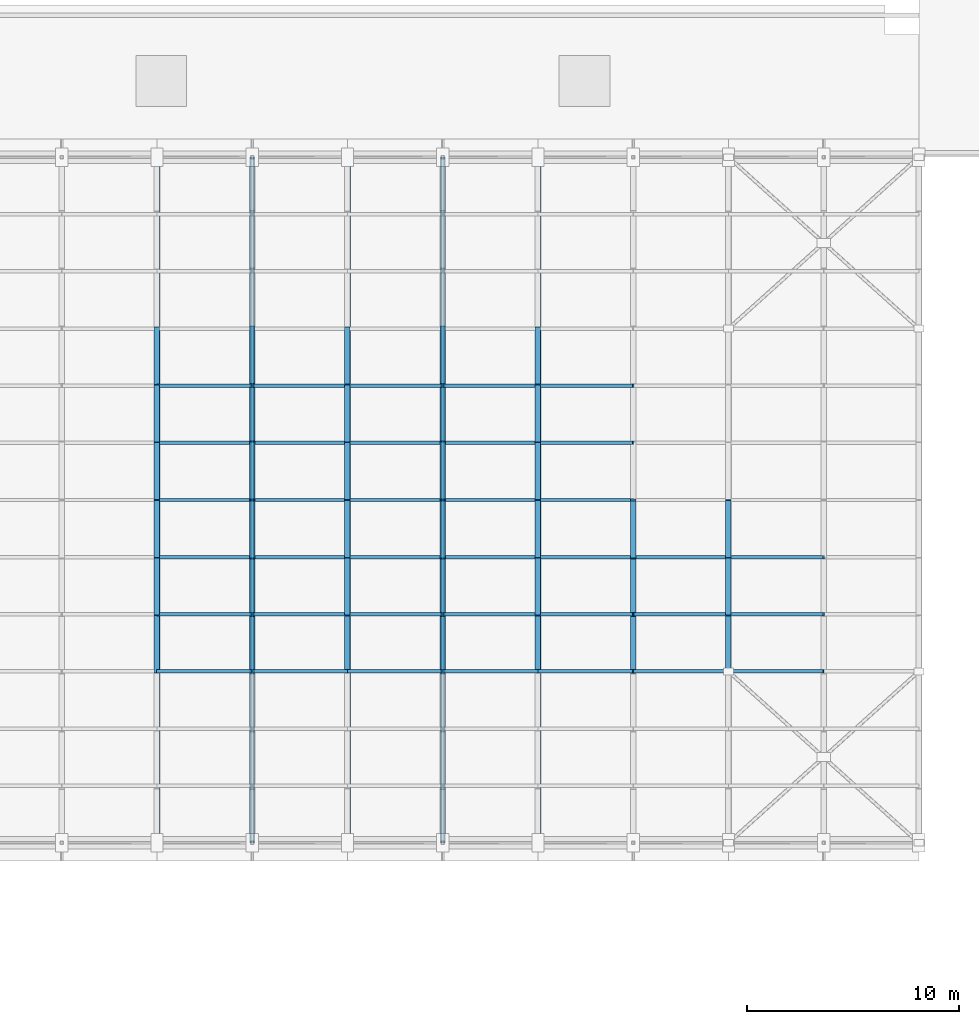
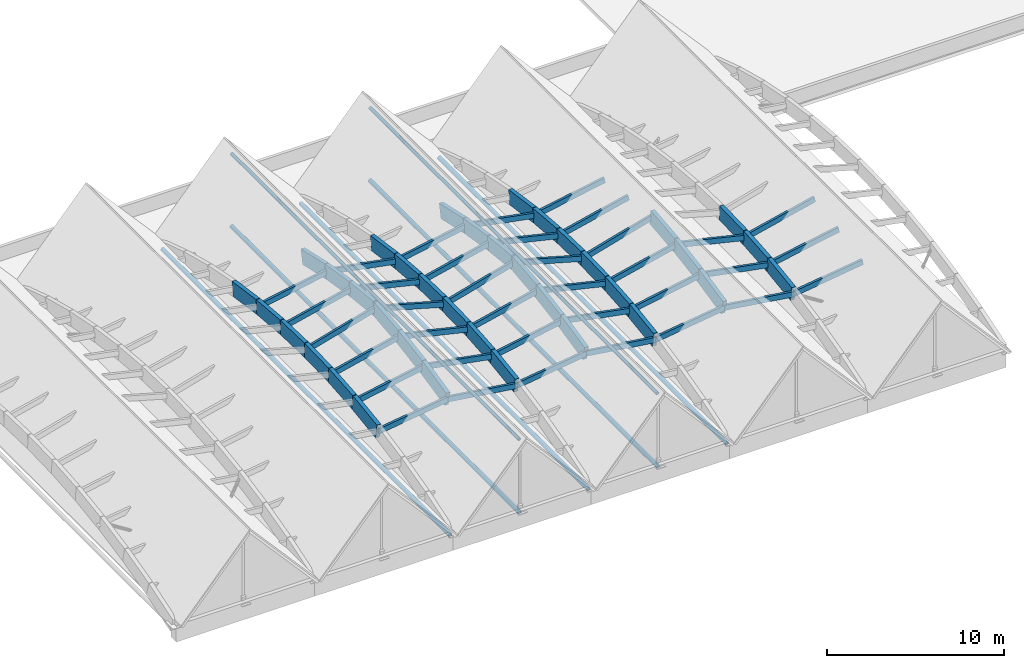
# One storey, part 16 of 39: 79 members.
"""IFC4 building model written with IfcOpenShell, lengths in metres."""

from ifc_helpers import new_model, si_unit, direction, frame, origin, origin_2d, place, context, subcontext, project, spatial, rectangle, hollow_circle, extrude, material, material_profile, profile_set, type_object, element, save


model = new_model("IFC4")

# Units and contexts
model_context = context("Model", 3, precision=1e-05, world=origin(), true_north=direction((0.0, 1.0)))
body_context = subcontext(model_context, "Body", "Model", "MODEL_VIEW")
ifc_project = project(units=[si_unit("LENGTHUNIT", "METRE"), si_unit("AREAUNIT", "SQUARE_METRE"), si_unit("VOLUMEUNIT", "CUBIC_METRE"), si_unit("PLANEANGLEUNIT", "RADIAN"), si_unit("MASSUNIT", "GRAM", prefix="KILO")], contexts=[model_context])

# Site, building, storey
site_placement = place(None, origin())
site = spatial("IfcSite", under=ifc_project, at=site_placement, CompositionType="ELEMENT")
building_placement = place(site_placement, origin())
building = spatial("IfcBuilding", under=site, at=building_placement, Name="Tizgana Railside Sports Hall", CompositionType="ELEMENT")
storey_placement = place(building_placement, frame((0.0, 0.0, 23.699951171875)))
storey = spatial("IfcBuildingStorey", under=building, at=storey_placement, Name="RF", CompositionType="ELEMENT", Elevation=23.699951171875)

# Members
ifc_material_1 = material(Name="Glulam GL32h", Category="wood")
ifc_material_profile_1 = material_profile(ifc_material_1, rectangle(XDim=0.260009765625, YDim=0.97998046875, at=origin_2d()), Name="GL 260x980")
ifc_profile_set_1 = profile_set([ifc_material_profile_1], Name="Glulam GL32h")
member_type_1 = type_object("IfcMemberType", Name="Glulam Arch Segment GL 260x980", PredefinedType="USERDEFINED", material=ifc_profile_set_1)
member_1_placement = place(storey_placement, frame((97.800048828125, 48.89990234375, -0.721923828125), z_axis=(0.0, 0.990049503072, 0.140719513456), x_axis=(-1.0, 0.0, 0.0)))
element("IfcMember", 1, at=member_1_placement, inside=storey, type_object=member_type_1, Name="RF V2 Arch Chord MEM-0461", ObjectType="ARCH_SEGMENT", PredefinedType="USERDEFINED", context=body_context, shape_type="SweptSolid", body=[
    extrude(rectangle(XDim=0.260009765625, YDim=0.97998046875, at=origin_2d()), origin(), (0.0, 0.0, 1.0), 2.727294921875),
])
member_2_placement = place(storey_placement, frame((97.800048828125, 51.60009765625, -0.338134765625), z_axis=(0.0, 0.996437422353, 0.084335421586), x_axis=(-1.0, 0.0, 0.0)))
element("IfcMember", 2, at=member_2_placement, inside=storey, type_object=member_type_1, Name="RF V2 Arch Chord MEM-0462", ObjectType="ARCH_SEGMENT", PredefinedType="USERDEFINED", context=body_context, shape_type="SweptSolid", body=[
    extrude(rectangle(XDim=0.260009765625, YDim=0.97998046875, at=origin_2d()), origin(), (0.0, 0.0, 1.0), 2.709716796875),
])
for number, where, z_axis, x_axis, name in (
    (3, (97.800048828125, 54.300048828125, -0.109619140625), (0.0, 0.999602270029, 0.028201094877), (-1.0, 0.0, 0.0), "RF V2 Arch Chord MEM-0463"),
    (4, (97.800048828125, 57.0, -0.033447265625), (0.0, 0.999602270029, -0.028201094877), (-1.0, 0.0, 0.0), "RF V2 Arch Chord MEM-0464"),
):
    element("IfcMember", number, at=place(storey_placement, frame(where, z_axis=z_axis, x_axis=x_axis)), inside=storey, type_object=member_type_1, Name=name, ObjectType="ARCH_SEGMENT", PredefinedType="USERDEFINED", context=body_context, shape_type="SweptSolid", body=[
        extrude(rectangle(XDim=0.260009765625, YDim=0.97998046875, at=origin_2d()), origin(), (0.0, 0.0, 1.0), 2.700927734375),
    ])
member_3_placement = place(storey_placement, frame((97.800048828125, 59.699951171875, -0.109619140625), z_axis=(0.0, 0.996437422353, -0.084335421586), x_axis=(-1.0, 0.0, 0.0)))
element("IfcMember", 5, at=member_3_placement, inside=storey, type_object=member_type_1, Name="RF V2 Arch Chord MEM-0465", ObjectType="ARCH_SEGMENT", PredefinedType="USERDEFINED", context=body_context, shape_type="SweptSolid", body=[
    extrude(rectangle(XDim=0.260009765625, YDim=0.97998046875, at=origin_2d()), origin(), (0.0, 0.0, 1.0), 2.709716796875),
])
member_4_placement = place(storey_placement, frame((97.800048828125, 62.39990234375, -0.338134765625), z_axis=(0.0, 0.990049503072, -0.140719513456), x_axis=(-1.0, 0.0, 0.0)))
element("IfcMember", 6, at=member_4_placement, inside=storey, type_object=member_type_1, Name="RF V2 Arch Chord MEM-0466", ObjectType="ARCH_SEGMENT", PredefinedType="USERDEFINED", context=body_context, shape_type="SweptSolid", body=[
    extrude(rectangle(XDim=0.260009765625, YDim=0.97998046875, at=origin_2d()), origin(), (0.0, 0.0, 1.0), 2.727294921875),
])
member_5_placement = place(storey_placement, frame((102.300048828125, 48.89990234375, -0.08447265625), z_axis=(0.0, 0.976481148201, 0.21560279963), x_axis=(-1.0, 0.0, 0.0)))
element("IfcMember", 7, at=member_5_placement, inside=storey, type_object=member_type_1, Name="RF V2 Arch Chord MEM-0474", ObjectType="ARCH_SEGMENT", PredefinedType="USERDEFINED", context=body_context, shape_type="SweptSolid", body=[
    extrude(rectangle(XDim=0.260009765625, YDim=0.97998046875, at=origin_2d()), origin(), (0.0, 0.0, 1.0), 2.76513671875),
])
member_6_placement = place(storey_placement, frame((102.300048828125, 51.60009765625, 0.51171875), z_axis=(0.0, 0.986912309377, 0.161257848182), x_axis=(-1.0, 0.0, 0.0)))
element("IfcMember", 8, at=member_6_placement, inside=storey, type_object=member_type_1, Name="RF V2 Arch Chord MEM-0475", ObjectType="ARCH_SEGMENT", PredefinedType="USERDEFINED", context=body_context, shape_type="SweptSolid", body=[
    extrude(rectangle(XDim=0.260009765625, YDim=0.97998046875, at=origin_2d()), origin(), (0.0, 0.0, 1.0), 2.73583984375),
])
for number, where, z_axis, x_axis, name in (
    (9, (102.300048828125, 54.300048828125, 0.952880859375), (0.0, 0.994336672512, 0.106275969519), (-1.0, 0.0, 0.0), "RF V2 Arch Chord MEM-0476"),
    (10, (102.300048828125, 57.0, 1.241455078125), (0.0, 0.994336672512, -0.106275969519), (-1.0, 0.0, 0.0), "RF V2 Arch Chord MEM-0477"),
):
    element("IfcMember", number, at=place(storey_placement, frame(where, z_axis=z_axis, x_axis=x_axis)), inside=storey, type_object=member_type_1, Name=name, ObjectType="ARCH_SEGMENT", PredefinedType="USERDEFINED", context=body_context, shape_type="SweptSolid", body=[
        extrude(rectangle(XDim=0.260009765625, YDim=0.97998046875, at=origin_2d()), origin(), (0.0, 0.0, 1.0), 2.71533203125),
    ])
member_7_placement = place(storey_placement, frame((102.300048828125, 59.699951171875, 0.952880859375), z_axis=(0.0, 0.986912309377, -0.161257848182), x_axis=(-1.0, 0.0, 0.0)))
element("IfcMember", 11, at=member_7_placement, inside=storey, type_object=member_type_1, Name="RF V2 Arch Chord MEM-0478", ObjectType="ARCH_SEGMENT", PredefinedType="USERDEFINED", context=body_context, shape_type="SweptSolid", body=[
    extrude(rectangle(XDim=0.260009765625, YDim=0.97998046875, at=origin_2d()), origin(), (0.0, 0.0, 1.0), 2.73583984375),
])
member_8_placement = place(storey_placement, frame((102.300048828125, 62.39990234375, 0.51171875), z_axis=(0.0, 0.976481148201, -0.21560279963), x_axis=(-1.0, 0.0, 0.0)))
element("IfcMember", 12, at=member_8_placement, inside=storey, type_object=member_type_1, Name="RF V2 Arch Chord MEM-0479", ObjectType="ARCH_SEGMENT", PredefinedType="USERDEFINED", context=body_context, shape_type="SweptSolid", body=[
    extrude(rectangle(XDim=0.260009765625, YDim=0.97998046875, at=origin_2d()), origin(), (0.0, 0.0, 1.0), 2.76513671875),
])
member_9_placement = place(storey_placement, frame((106.800048828125, 48.89990234375, -0.721923828125), z_axis=(0.0, 0.990049503072, 0.140719513456), x_axis=(-1.0, 0.0, 0.0)))
element("IfcMember", 13, at=member_9_placement, inside=storey, type_object=member_type_1, Name="RF V2 Arch Chord MEM-0487", ObjectType="ARCH_SEGMENT", PredefinedType="USERDEFINED", context=body_context, shape_type="SweptSolid", body=[
    extrude(rectangle(XDim=0.260009765625, YDim=0.97998046875, at=origin_2d()), origin(), (0.0, 0.0, 1.0), 2.727294921875),
])
member_10_placement = place(storey_placement, frame((106.800048828125, 51.60009765625, -0.338134765625), z_axis=(0.0, 0.996437422353, 0.084335421586), x_axis=(-1.0, 0.0, 0.0)))
element("IfcMember", 14, at=member_10_placement, inside=storey, type_object=member_type_1, Name="RF V2 Arch Chord MEM-0488", ObjectType="ARCH_SEGMENT", PredefinedType="USERDEFINED", context=body_context, shape_type="SweptSolid", body=[
    extrude(rectangle(XDim=0.260009765625, YDim=0.97998046875, at=origin_2d()), origin(), (0.0, 0.0, 1.0), 2.709716796875),
])
for number, where, z_axis, x_axis, name in (
    (15, (106.800048828125, 54.300048828125, -0.109619140625), (0.0, 0.999602270029, 0.028201094877), (-1.0, 0.0, 0.0), "RF V2 Arch Chord MEM-0489"),
    (16, (106.800048828125, 57.0, -0.033447265625), (0.0, 0.999602270029, -0.028201094877), (-1.0, 0.0, 0.0), "RF V2 Arch Chord MEM-0490"),
):
    element("IfcMember", number, at=place(storey_placement, frame(where, z_axis=z_axis, x_axis=x_axis)), inside=storey, type_object=member_type_1, Name=name, ObjectType="ARCH_SEGMENT", PredefinedType="USERDEFINED", context=body_context, shape_type="SweptSolid", body=[
        extrude(rectangle(XDim=0.260009765625, YDim=0.97998046875, at=origin_2d()), origin(), (0.0, 0.0, 1.0), 2.700927734375),
    ])
member_11_placement = place(storey_placement, frame((106.800048828125, 59.699951171875, -0.109619140625), z_axis=(0.0, 0.996437422353, -0.084335421586), x_axis=(-1.0, 0.0, 0.0)))
element("IfcMember", 17, at=member_11_placement, inside=storey, type_object=member_type_1, Name="RF V2 Arch Chord MEM-0491", ObjectType="ARCH_SEGMENT", PredefinedType="USERDEFINED", context=body_context, shape_type="SweptSolid", body=[
    extrude(rectangle(XDim=0.260009765625, YDim=0.97998046875, at=origin_2d()), origin(), (0.0, 0.0, 1.0), 2.709716796875),
])
member_12_placement = place(storey_placement, frame((106.800048828125, 62.39990234375, -0.338134765625), z_axis=(0.0, 0.990049503072, -0.140719513456), x_axis=(-1.0, 0.0, 0.0)))
element("IfcMember", 18, at=member_12_placement, inside=storey, type_object=member_type_1, Name="RF V2 Arch Chord MEM-0492", ObjectType="ARCH_SEGMENT", PredefinedType="USERDEFINED", context=body_context, shape_type="SweptSolid", body=[
    extrude(rectangle(XDim=0.260009765625, YDim=0.97998046875, at=origin_2d()), origin(), (0.0, 0.0, 1.0), 2.727294921875),
])
member_13_placement = place(storey_placement, frame((111.300048828125, 48.89990234375, -0.08447265625), z_axis=(0.0, 0.976481148201, 0.21560279963), x_axis=(-1.0, 0.0, 0.0)))
element("IfcMember", 19, at=member_13_placement, inside=storey, type_object=member_type_1, Name="RF V2 Arch Chord MEM-0500", ObjectType="ARCH_SEGMENT", PredefinedType="USERDEFINED", context=body_context, shape_type="SweptSolid", body=[
    extrude(rectangle(XDim=0.260009765625, YDim=0.97998046875, at=origin_2d()), origin(), (0.0, 0.0, 1.0), 2.76513671875),
])
member_14_placement = place(storey_placement, frame((111.300048828125, 51.60009765625, 0.51171875), z_axis=(0.0, 0.986912309377, 0.161257848182), x_axis=(-1.0, 0.0, 0.0)))
element("IfcMember", 20, at=member_14_placement, inside=storey, type_object=member_type_1, Name="RF V2 Arch Chord MEM-0501", ObjectType="ARCH_SEGMENT", PredefinedType="USERDEFINED", context=body_context, shape_type="SweptSolid", body=[
    extrude(rectangle(XDim=0.260009765625, YDim=0.97998046875, at=origin_2d()), origin(), (0.0, 0.0, 1.0), 2.73583984375),
])
for number, where, z_axis, x_axis, name in (
    (21, (111.300048828125, 54.300048828125, 0.952880859375), (0.0, 0.994336672512, 0.106275969519), (-1.0, 0.0, 0.0), "RF V2 Arch Chord MEM-0502"),
    (22, (111.300048828125, 57.0, 1.241455078125), (0.0, 0.994336672512, -0.106275969519), (-1.0, 0.0, 0.0), "RF V2 Arch Chord MEM-0503"),
):
    element("IfcMember", number, at=place(storey_placement, frame(where, z_axis=z_axis, x_axis=x_axis)), inside=storey, type_object=member_type_1, Name=name, ObjectType="ARCH_SEGMENT", PredefinedType="USERDEFINED", context=body_context, shape_type="SweptSolid", body=[
        extrude(rectangle(XDim=0.260009765625, YDim=0.97998046875, at=origin_2d()), origin(), (0.0, 0.0, 1.0), 2.71533203125),
    ])
member_15_placement = place(storey_placement, frame((111.300048828125, 59.699951171875, 0.952880859375), z_axis=(0.0, 0.986912309377, -0.161257848182), x_axis=(-1.0, 0.0, 0.0)))
element("IfcMember", 23, at=member_15_placement, inside=storey, type_object=member_type_1, Name="RF V2 Arch Chord MEM-0504", ObjectType="ARCH_SEGMENT", PredefinedType="USERDEFINED", context=body_context, shape_type="SweptSolid", body=[
    extrude(rectangle(XDim=0.260009765625, YDim=0.97998046875, at=origin_2d()), origin(), (0.0, 0.0, 1.0), 2.73583984375),
])
member_16_placement = place(storey_placement, frame((111.300048828125, 62.39990234375, 0.51171875), z_axis=(0.0, 0.976481148201, -0.21560279963), x_axis=(-1.0, 0.0, 0.0)))
element("IfcMember", 24, at=member_16_placement, inside=storey, type_object=member_type_1, Name="RF V2 Arch Chord MEM-0505", ObjectType="ARCH_SEGMENT", PredefinedType="USERDEFINED", context=body_context, shape_type="SweptSolid", body=[
    extrude(rectangle(XDim=0.260009765625, YDim=0.97998046875, at=origin_2d()), origin(), (0.0, 0.0, 1.0), 2.76513671875),
])
member_17_placement = place(storey_placement, frame((115.800048828125, 48.89990234375, -0.721923828125), z_axis=(0.0, 0.990049503072, 0.140719513456), x_axis=(-1.0, 0.0, 0.0)))
element("IfcMember", 25, at=member_17_placement, inside=storey, type_object=member_type_1, Name="RF V2 Arch Chord MEM-0513", ObjectType="ARCH_SEGMENT", PredefinedType="USERDEFINED", context=body_context, shape_type="SweptSolid", body=[
    extrude(rectangle(XDim=0.260009765625, YDim=0.97998046875, at=origin_2d()), origin(), (0.0, 0.0, 1.0), 2.727294921875),
])
member_18_placement = place(storey_placement, frame((115.800048828125, 51.60009765625, -0.338134765625), z_axis=(0.0, 0.996437422353, 0.084335421586), x_axis=(-1.0, 0.0, 0.0)))
element("IfcMember", 26, at=member_18_placement, inside=storey, type_object=member_type_1, Name="RF V2 Arch Chord MEM-0514", ObjectType="ARCH_SEGMENT", PredefinedType="USERDEFINED", context=body_context, shape_type="SweptSolid", body=[
    extrude(rectangle(XDim=0.260009765625, YDim=0.97998046875, at=origin_2d()), origin(), (0.0, 0.0, 1.0), 2.709716796875),
])
for number, where, z_axis, x_axis, name in (
    (27, (115.800048828125, 54.300048828125, -0.109619140625), (0.0, 0.999602270029, 0.028201094877), (-1.0, 0.0, 0.0), "RF V2 Arch Chord MEM-0515"),
    (28, (115.800048828125, 57.0, -0.033447265625), (0.0, 0.999602270029, -0.028201094877), (-1.0, 0.0, 0.0), "RF V2 Arch Chord MEM-0516"),
):
    element("IfcMember", number, at=place(storey_placement, frame(where, z_axis=z_axis, x_axis=x_axis)), inside=storey, type_object=member_type_1, Name=name, ObjectType="ARCH_SEGMENT", PredefinedType="USERDEFINED", context=body_context, shape_type="SweptSolid", body=[
        extrude(rectangle(XDim=0.260009765625, YDim=0.97998046875, at=origin_2d()), origin(), (0.0, 0.0, 1.0), 2.700927734375),
    ])
member_19_placement = place(storey_placement, frame((115.800048828125, 59.699951171875, -0.109619140625), z_axis=(0.0, 0.996437422353, -0.084335421586), x_axis=(-1.0, 0.0, 0.0)))
element("IfcMember", 29, at=member_19_placement, inside=storey, type_object=member_type_1, Name="RF V2 Arch Chord MEM-0517", ObjectType="ARCH_SEGMENT", PredefinedType="USERDEFINED", context=body_context, shape_type="SweptSolid", body=[
    extrude(rectangle(XDim=0.260009765625, YDim=0.97998046875, at=origin_2d()), origin(), (0.0, 0.0, 1.0), 2.709716796875),
])
member_20_placement = place(storey_placement, frame((115.800048828125, 62.39990234375, -0.338134765625), z_axis=(0.0, 0.990049503072, -0.140719513456), x_axis=(-1.0, 0.0, 0.0)))
element("IfcMember", 30, at=member_20_placement, inside=storey, type_object=member_type_1, Name="RF V2 Arch Chord MEM-0518", ObjectType="ARCH_SEGMENT", PredefinedType="USERDEFINED", context=body_context, shape_type="SweptSolid", body=[
    extrude(rectangle(XDim=0.260009765625, YDim=0.97998046875, at=origin_2d()), origin(), (0.0, 0.0, 1.0), 2.727294921875),
])
member_21_placement = place(storey_placement, frame((120.300048828125, 48.89990234375, -0.08447265625), z_axis=(0.0, 0.976481148201, 0.21560279963), x_axis=(-1.0, 0.0, 0.0)))
element("IfcMember", 31, at=member_21_placement, inside=storey, type_object=member_type_1, Name="RF V2 Arch Chord MEM-0526", ObjectType="ARCH_SEGMENT", PredefinedType="USERDEFINED", context=body_context, shape_type="SweptSolid", body=[
    extrude(rectangle(XDim=0.260009765625, YDim=0.97998046875, at=origin_2d()), origin(), (0.0, 0.0, 1.0), 2.76513671875),
])
member_22_placement = place(storey_placement, frame((120.300048828125, 51.60009765625, 0.51171875), z_axis=(0.0, 0.986912309377, 0.161257848182), x_axis=(-1.0, 0.0, 0.0)))
element("IfcMember", 32, at=member_22_placement, inside=storey, type_object=member_type_1, Name="RF V2 Arch Chord MEM-0527", ObjectType="ARCH_SEGMENT", PredefinedType="USERDEFINED", context=body_context, shape_type="SweptSolid", body=[
    extrude(rectangle(XDim=0.260009765625, YDim=0.97998046875, at=origin_2d()), origin(), (0.0, 0.0, 1.0), 2.73583984375),
])
member_23_placement = place(storey_placement, frame((120.300048828125, 54.300048828125, 0.952880859375), z_axis=(0.0, 0.994336672512, 0.106275969519), x_axis=(-1.0, 0.0, 0.0)))
element("IfcMember", 33, at=member_23_placement, inside=storey, type_object=member_type_1, Name="RF V2 Arch Chord MEM-0528", ObjectType="ARCH_SEGMENT", PredefinedType="USERDEFINED", context=body_context, shape_type="SweptSolid", body=[
    extrude(rectangle(XDim=0.260009765625, YDim=0.97998046875, at=origin_2d()), origin(), (0.0, 0.0, 1.0), 2.71533203125),
])
member_24_placement = place(storey_placement, frame((124.800048828125, 48.89990234375, -0.721923828125), z_axis=(0.0, 0.990049503072, 0.140719513456), x_axis=(-1.0, 0.0, 0.0)))
element("IfcMember", 34, at=member_24_placement, inside=storey, type_object=member_type_1, Name="RF V2 Arch Chord MEM-0539", ObjectType="ARCH_SEGMENT", PredefinedType="USERDEFINED", context=body_context, shape_type="SweptSolid", body=[
    extrude(rectangle(XDim=0.260009765625, YDim=0.97998046875, at=origin_2d()), origin(), (0.0, 0.0, 1.0), 2.727294921875),
])
member_25_placement = place(storey_placement, frame((124.800048828125, 51.60009765625, -0.338134765625), z_axis=(0.0, 0.996437422353, 0.084335421586), x_axis=(-1.0, 0.0, 0.0)))
element("IfcMember", 35, at=member_25_placement, inside=storey, type_object=member_type_1, Name="RF V2 Arch Chord MEM-0540", ObjectType="ARCH_SEGMENT", PredefinedType="USERDEFINED", context=body_context, shape_type="SweptSolid", body=[
    extrude(rectangle(XDim=0.260009765625, YDim=0.97998046875, at=origin_2d()), origin(), (0.0, 0.0, 1.0), 2.709716796875),
])
member_26_placement = place(storey_placement, frame((124.800048828125, 54.300048828125, -0.109619140625), z_axis=(0.0, 0.999602270029, 0.028201094877), x_axis=(-1.0, 0.0, 0.0)))
element("IfcMember", 36, at=member_26_placement, inside=storey, type_object=member_type_1, Name="RF V2 Arch Chord MEM-0541", ObjectType="ARCH_SEGMENT", PredefinedType="USERDEFINED", context=body_context, shape_type="SweptSolid", body=[
    extrude(rectangle(XDim=0.260009765625, YDim=0.97998046875, at=origin_2d()), origin(), (0.0, 0.0, 1.0), 2.700927734375),
])
ifc_material_2 = material(Name="Glulam GL28h", Category="wood")
ifc_material_profile_2 = material_profile(ifc_material_2, rectangle(XDim=0.159912109375, YDim=0.360107421875, at=origin_2d()), Name="GL 160x360")
ifc_profile_set_2 = profile_set([ifc_material_profile_2], Name="Glulam GL28h")
member_type_2 = type_object("IfcMemberType", Name="Glulam Roof Purlin GL 160x360", PredefinedType="PURLIN", material=ifc_profile_set_2)
for number, where, z_axis, x_axis, name in (
    (37, (97.800048828125, 48.89990234375, -0.721923828125), (0.990115330681, 0.0, 0.140255595074), (0.0, 1.0, 0.0), "RF V2 Purlin MEM-0637"),
    (38, (102.300048828125, 48.89990234375, -0.08447265625), (0.990115330681, 0.0, -0.140255595074), (0.0, 1.0, 0.0), "RF V2 Purlin MEM-0638"),
):
    element("IfcMember", number, at=place(storey_placement, frame(where, z_axis=z_axis, x_axis=x_axis)), inside=storey, type_object=member_type_2, Name=name, PredefinedType="PURLIN", context=body_context, shape_type="SweptSolid", body=[
        extrude(rectangle(XDim=0.159912109375, YDim=0.360107421875, at=origin_2d()), origin(), (0.0, 0.0, 1.0), 4.544921875),
    ])
for number, where, z_axis, x_axis, name in (
    (39, (97.800048828125, 51.60009765625, -0.338134765625), (0.982629934955, 0.0, 0.185575889951), (0.0, 1.0, 0.0), "RF V2 Purlin MEM-0639"),
    (40, (102.300048828125, 51.60009765625, 0.51171875), (0.982629934955, 0.0, -0.185575889951), (0.0, 1.0, 0.0), "RF V2 Purlin MEM-0640"),
):
    element("IfcMember", number, at=place(storey_placement, frame(where, z_axis=z_axis, x_axis=x_axis)), inside=storey, type_object=member_type_2, Name=name, PredefinedType="PURLIN", context=body_context, shape_type="SweptSolid", body=[
        extrude(rectangle(XDim=0.159912109375, YDim=0.360107421875, at=origin_2d()), origin(), (0.0, 0.0, 1.0), 4.57958984375),
    ])
for number, where, z_axis, x_axis, name in (
    (41, (97.800048828125, 54.300048828125, -0.109619140625), (0.97323960179, 0.0, 0.229792683756), (0.0, 1.0, 0.0), "RF V2 Purlin MEM-0641"),
    (42, (102.300048828125, 54.300048828125, 0.952880859375), (0.97323960179, 0.0, -0.229792683756), (0.0, 1.0, 0.0), "RF V2 Purlin MEM-0642"),
):
    element("IfcMember", number, at=place(storey_placement, frame(where, z_axis=z_axis, x_axis=x_axis)), inside=storey, type_object=member_type_2, Name=name, PredefinedType="PURLIN", context=body_context, shape_type="SweptSolid", body=[
        extrude(rectangle(XDim=0.159912109375, YDim=0.360107421875, at=origin_2d()), origin(), (0.0, 0.0, 1.0), 4.623779296875),
    ])
for number, where, z_axis, x_axis, name in (
    (43, (97.800048828125, 57.0, -0.033447265625), (0.962132202387, 0.0, 0.272583244405), (0.0, 1.0, 0.0), "RF V2 Purlin MEM-0643"),
    (44, (102.300048828125, 57.0, 1.241455078125), (0.962132202387, 0.0, -0.272583244405), (0.0, 1.0, 0.0), "RF V2 Purlin MEM-0644"),
):
    element("IfcMember", number, at=place(storey_placement, frame(where, z_axis=z_axis, x_axis=x_axis)), inside=storey, type_object=member_type_2, Name=name, PredefinedType="PURLIN", context=body_context, shape_type="SweptSolid", body=[
        extrude(rectangle(XDim=0.159912109375, YDim=0.360107421875, at=origin_2d()), origin(), (0.0, 0.0, 1.0), 4.677001953125),
    ])
for number, where, z_axis, x_axis, name in (
    (45, (97.800048828125, 59.699951171875, -0.109619140625), (0.97323960179, 0.0, 0.229792683756), (0.0, 1.0, 0.0), "RF V2 Purlin MEM-0645"),
    (46, (102.300048828125, 59.699951171875, 0.952880859375), (0.97323960179, 0.0, -0.229792683756), (0.0, 1.0, 0.0), "RF V2 Purlin MEM-0646"),
):
    element("IfcMember", number, at=place(storey_placement, frame(where, z_axis=z_axis, x_axis=x_axis)), inside=storey, type_object=member_type_2, Name=name, PredefinedType="PURLIN", context=body_context, shape_type="SweptSolid", body=[
        extrude(rectangle(XDim=0.159912109375, YDim=0.360107421875, at=origin_2d()), origin(), (0.0, 0.0, 1.0), 4.623779296875),
    ])
for number, where, z_axis, x_axis, name in (
    (47, (97.800048828125, 62.39990234375, -0.338134765625), (0.982629934955, 0.0, 0.185575889951), (0.0, 1.0, 0.0), "RF V2 Purlin MEM-0647"),
    (48, (102.300048828125, 62.39990234375, 0.51171875), (0.982629934955, 0.0, -0.185575889951), (0.0, 1.0, 0.0), "RF V2 Purlin MEM-0648"),
):
    element("IfcMember", number, at=place(storey_placement, frame(where, z_axis=z_axis, x_axis=x_axis)), inside=storey, type_object=member_type_2, Name=name, PredefinedType="PURLIN", context=body_context, shape_type="SweptSolid", body=[
        extrude(rectangle(XDim=0.159912109375, YDim=0.360107421875, at=origin_2d()), origin(), (0.0, 0.0, 1.0), 4.57958984375),
    ])
for number, where, z_axis, x_axis, name in (
    (49, (106.800048828125, 48.89990234375, -0.721923828125), (0.990115330681, 0.0, 0.140255595074), (0.0, 1.0, 0.0), "RF V2 Purlin MEM-0662"),
    (50, (111.300048828125, 48.89990234375, -0.08447265625), (0.990115330681, 0.0, -0.140255595074), (0.0, 1.0, 0.0), "RF V2 Purlin MEM-0663"),
):
    element("IfcMember", number, at=place(storey_placement, frame(where, z_axis=z_axis, x_axis=x_axis)), inside=storey, type_object=member_type_2, Name=name, PredefinedType="PURLIN", context=body_context, shape_type="SweptSolid", body=[
        extrude(rectangle(XDim=0.159912109375, YDim=0.360107421875, at=origin_2d()), origin(), (0.0, 0.0, 1.0), 4.544921875),
    ])
for number, where, z_axis, x_axis, name in (
    (51, (106.800048828125, 51.60009765625, -0.338134765625), (0.982629934955, 0.0, 0.185575889951), (0.0, 1.0, 0.0), "RF V2 Purlin MEM-0664"),
    (52, (111.300048828125, 51.60009765625, 0.51171875), (0.982629934955, 0.0, -0.185575889951), (0.0, 1.0, 0.0), "RF V2 Purlin MEM-0665"),
):
    element("IfcMember", number, at=place(storey_placement, frame(where, z_axis=z_axis, x_axis=x_axis)), inside=storey, type_object=member_type_2, Name=name, PredefinedType="PURLIN", context=body_context, shape_type="SweptSolid", body=[
        extrude(rectangle(XDim=0.159912109375, YDim=0.360107421875, at=origin_2d()), origin(), (0.0, 0.0, 1.0), 4.57958984375),
    ])
for number, where, z_axis, x_axis, name in (
    (53, (106.800048828125, 54.300048828125, -0.109619140625), (0.97323960179, 0.0, 0.229792683756), (0.0, 1.0, 0.0), "RF V2 Purlin MEM-0666"),
    (54, (111.300048828125, 54.300048828125, 0.952880859375), (0.97323960179, 0.0, -0.229792683756), (0.0, 1.0, 0.0), "RF V2 Purlin MEM-0667"),
):
    element("IfcMember", number, at=place(storey_placement, frame(where, z_axis=z_axis, x_axis=x_axis)), inside=storey, type_object=member_type_2, Name=name, PredefinedType="PURLIN", context=body_context, shape_type="SweptSolid", body=[
        extrude(rectangle(XDim=0.159912109375, YDim=0.360107421875, at=origin_2d()), origin(), (0.0, 0.0, 1.0), 4.623779296875),
    ])
for number, where, z_axis, x_axis, name in (
    (55, (106.800048828125, 57.0, -0.033447265625), (0.962132202387, 0.0, 0.272583244405), (0.0, 1.0, 0.0), "RF V2 Purlin MEM-0668"),
    (56, (111.300048828125, 57.0, 1.241455078125), (0.962132202387, 0.0, -0.272583244405), (0.0, 1.0, 0.0), "RF V2 Purlin MEM-0669"),
):
    element("IfcMember", number, at=place(storey_placement, frame(where, z_axis=z_axis, x_axis=x_axis)), inside=storey, type_object=member_type_2, Name=name, PredefinedType="PURLIN", context=body_context, shape_type="SweptSolid", body=[
        extrude(rectangle(XDim=0.159912109375, YDim=0.360107421875, at=origin_2d()), origin(), (0.0, 0.0, 1.0), 4.677001953125),
    ])
for number, where, z_axis, x_axis, name in (
    (57, (106.800048828125, 59.699951171875, -0.109619140625), (0.97323960179, 0.0, 0.229792683756), (0.0, 1.0, 0.0), "RF V2 Purlin MEM-0670"),
    (58, (111.300048828125, 59.699951171875, 0.952880859375), (0.97323960179, 0.0, -0.229792683756), (0.0, 1.0, 0.0), "RF V2 Purlin MEM-0671"),
):
    element("IfcMember", number, at=place(storey_placement, frame(where, z_axis=z_axis, x_axis=x_axis)), inside=storey, type_object=member_type_2, Name=name, PredefinedType="PURLIN", context=body_context, shape_type="SweptSolid", body=[
        extrude(rectangle(XDim=0.159912109375, YDim=0.360107421875, at=origin_2d()), origin(), (0.0, 0.0, 1.0), 4.623779296875),
    ])
for number, where, z_axis, x_axis, name in (
    (59, (106.800048828125, 62.39990234375, -0.338134765625), (0.982629934955, 0.0, 0.185575889951), (0.0, 1.0, 0.0), "RF V2 Purlin MEM-0672"),
    (60, (111.300048828125, 62.39990234375, 0.51171875), (0.982629934955, 0.0, -0.185575889951), (0.0, 1.0, 0.0), "RF V2 Purlin MEM-0673"),
):
    element("IfcMember", number, at=place(storey_placement, frame(where, z_axis=z_axis, x_axis=x_axis)), inside=storey, type_object=member_type_2, Name=name, PredefinedType="PURLIN", context=body_context, shape_type="SweptSolid", body=[
        extrude(rectangle(XDim=0.159912109375, YDim=0.360107421875, at=origin_2d()), origin(), (0.0, 0.0, 1.0), 4.57958984375),
    ])
for number, where, z_axis, x_axis, name in (
    (61, (115.800048828125, 48.89990234375, -0.721923828125), (0.990115330681, 0.0, 0.140255595074), (0.0, 1.0, 0.0), "RF V2 Purlin MEM-0687"),
    (62, (120.300048828125, 48.89990234375, -0.08447265625), (0.990115330681, 0.0, -0.140255595074), (0.0, 1.0, 0.0), "RF V2 Purlin MEM-0688"),
):
    element("IfcMember", number, at=place(storey_placement, frame(where, z_axis=z_axis, x_axis=x_axis)), inside=storey, type_object=member_type_2, Name=name, PredefinedType="PURLIN", context=body_context, shape_type="SweptSolid", body=[
        extrude(rectangle(XDim=0.159912109375, YDim=0.360107421875, at=origin_2d()), origin(), (0.0, 0.0, 1.0), 4.544921875),
    ])
for number, where, z_axis, x_axis, name in (
    (63, (115.800048828125, 51.60009765625, -0.338134765625), (0.982629934955, 0.0, 0.185575889951), (0.0, 1.0, 0.0), "RF V2 Purlin MEM-0689"),
    (64, (120.300048828125, 51.60009765625, 0.51171875), (0.982629934955, 0.0, -0.185575889951), (0.0, 1.0, 0.0), "RF V2 Purlin MEM-0690"),
):
    element("IfcMember", number, at=place(storey_placement, frame(where, z_axis=z_axis, x_axis=x_axis)), inside=storey, type_object=member_type_2, Name=name, PredefinedType="PURLIN", context=body_context, shape_type="SweptSolid", body=[
        extrude(rectangle(XDim=0.159912109375, YDim=0.360107421875, at=origin_2d()), origin(), (0.0, 0.0, 1.0), 4.57958984375),
    ])
for number, where, z_axis, x_axis, name in (
    (65, (115.800048828125, 54.300048828125, -0.109619140625), (0.97323960179, 0.0, 0.229792683756), (0.0, 1.0, 0.0), "RF V2 Purlin MEM-0691"),
    (66, (120.300048828125, 54.300048828125, 0.952880859375), (0.97323960179, 0.0, -0.229792683756), (0.0, 1.0, 0.0), "RF V2 Purlin MEM-0692"),
):
    element("IfcMember", number, at=place(storey_placement, frame(where, z_axis=z_axis, x_axis=x_axis)), inside=storey, type_object=member_type_2, Name=name, PredefinedType="PURLIN", context=body_context, shape_type="SweptSolid", body=[
        extrude(rectangle(XDim=0.159912109375, YDim=0.360107421875, at=origin_2d()), origin(), (0.0, 0.0, 1.0), 4.623779296875),
    ])
member_27_placement = place(storey_placement, frame((115.800048828125, 57.0, -0.033447265625), z_axis=(0.962132202387, 0.0, 0.272583244405), x_axis=(0.0, 1.0, 0.0)))
element("IfcMember", 67, at=member_27_placement, inside=storey, type_object=member_type_2, Name="RF V2 Purlin MEM-0693", PredefinedType="PURLIN", context=body_context, shape_type="SweptSolid", body=[
    extrude(rectangle(XDim=0.159912109375, YDim=0.360107421875, at=origin_2d()), origin(), (0.0, 0.0, 1.0), 4.677001953125),
])
member_28_placement = place(storey_placement, frame((115.800048828125, 59.699951171875, -0.109619140625), z_axis=(0.97323960179, 0.0, 0.229792683756), x_axis=(0.0, 1.0, 0.0)))
element("IfcMember", 68, at=member_28_placement, inside=storey, type_object=member_type_2, Name="RF V2 Purlin MEM-0695", PredefinedType="PURLIN", context=body_context, shape_type="SweptSolid", body=[
    extrude(rectangle(XDim=0.159912109375, YDim=0.360107421875, at=origin_2d()), origin(), (0.0, 0.0, 1.0), 4.623779296875),
])
member_29_placement = place(storey_placement, frame((115.800048828125, 62.39990234375, -0.338134765625), z_axis=(0.982629934955, 0.0, 0.185575889951), x_axis=(0.0, 1.0, 0.0)))
element("IfcMember", 69, at=member_29_placement, inside=storey, type_object=member_type_2, Name="RF V2 Purlin MEM-0697", PredefinedType="PURLIN", context=body_context, shape_type="SweptSolid", body=[
    extrude(rectangle(XDim=0.159912109375, YDim=0.360107421875, at=origin_2d()), origin(), (0.0, 0.0, 1.0), 4.57958984375),
])
member_30_placement = place(storey_placement, frame((124.800048828125, 48.89990234375, -0.721923828125), z_axis=(0.990115330681, 0.0, 0.140255595074), x_axis=(0.0, 1.0, 0.0)))
element("IfcMember", 70, at=member_30_placement, inside=storey, type_object=member_type_2, Name="RF V2 Purlin MEM-0712", PredefinedType="PURLIN", context=body_context, shape_type="SweptSolid", body=[
    extrude(rectangle(XDim=0.159912109375, YDim=0.360107421875, at=origin_2d()), origin(), (0.0, 0.0, 1.0), 4.544921875),
])
member_31_placement = place(storey_placement, frame((124.800048828125, 51.60009765625, -0.338134765625), z_axis=(0.982629934955, 0.0, 0.185575889951), x_axis=(0.0, 1.0, 0.0)))
element("IfcMember", 71, at=member_31_placement, inside=storey, type_object=member_type_2, Name="RF V2 Purlin MEM-0714", PredefinedType="PURLIN", context=body_context, shape_type="SweptSolid", body=[
    extrude(rectangle(XDim=0.159912109375, YDim=0.360107421875, at=origin_2d()), origin(), (0.0, 0.0, 1.0), 4.57958984375),
])
member_32_placement = place(storey_placement, frame((124.800048828125, 54.300048828125, -0.109619140625), z_axis=(0.97323960179, 0.0, 0.229792683756), x_axis=(0.0, 1.0, 0.0)))
element("IfcMember", 72, at=member_32_placement, inside=storey, type_object=member_type_2, Name="RF V2 Purlin MEM-0716", PredefinedType="PURLIN", context=body_context, shape_type="SweptSolid", body=[
    extrude(rectangle(XDim=0.159912109375, YDim=0.360107421875, at=origin_2d()), origin(), (0.0, 0.0, 1.0), 4.623779296875),
])
ifc_material_3 = material(Name="Steel S355J2", Category="steel")
ifc_material_profile_3 = material_profile(ifc_material_3, hollow_circle(Radius=0.109619140625, WallThickness=0.010009765625, at=origin_2d()), Name="CHS 219.1x10")
ifc_profile_set_3 = profile_set([ifc_material_profile_3], Name="Steel S355J2")
member_type_3 = type_object("IfcMemberType", Name="Steel Chord CHS 219.1x10", PredefinedType="CHORD", material=ifc_profile_set_3)
for number, where, z_axis, x_axis, name in (
    (73, (102.300048828125, 40.800048828125, 2.050048828125), (0.0, 1.0, 0.0), (-1.0, 0.0, 0.0), "RF V2 Ridge Chord MEM-0632"),
    (74, (111.300048828125, 40.800048828125, 2.050048828125), (0.0, 1.0, 0.0), (-1.0, 0.0, 0.0), "RF V2 Ridge Chord MEM-0657"),
):
    element("IfcMember", number, at=place(storey_placement, frame(where, z_axis=z_axis, x_axis=x_axis)), inside=storey, type_object=member_type_3, Name=name, PredefinedType="CHORD", context=body_context, shape_type="SweptSolid", body=[
        extrude(hollow_circle(Radius=0.109619140625, WallThickness=0.010009765625, at=origin_2d()), origin(), (0.0, 0.0, 1.0), 32.39990234375),
    ])
ifc_material_profile_4 = material_profile(ifc_material_3, hollow_circle(Radius=0.136474609375, WallThickness=0.012451171875, at=origin_2d()), Name="CHS 273x12.5")
ifc_profile_set_4 = profile_set([ifc_material_profile_4], Name="Steel S355J2")
member_type_4 = type_object("IfcMemberType", Name="Steel Chord CHS 273x12.5", PredefinedType="CHORD", material=ifc_profile_set_4)
for number, where, z_axis, x_axis, name in (
    (75, (97.800048828125, 40.800048828125, -2.949951171875), (0.0, 1.0, 0.0), (-1.0, 0.0, 0.0), "RF V2 Tie Chord MEM-0457"),
    (76, (102.300048828125, 40.800048828125, -2.949951171875), (0.0, 1.0, 0.0), (-1.0, 0.0, 0.0), "RF V2 Tie Chord MEM-0470"),
    (77, (106.800048828125, 40.800048828125, -2.949951171875), (0.0, 1.0, 0.0), (-1.0, 0.0, 0.0), "RF V2 Tie Chord MEM-0483"),
    (78, (111.300048828125, 40.800048828125, -2.949951171875), (0.0, 1.0, 0.0), (-1.0, 0.0, 0.0), "RF V2 Tie Chord MEM-0496"),
    (79, (115.800048828125, 40.800048828125, -2.949951171875), (0.0, 1.0, 0.0), (-1.0, 0.0, 0.0), "RF V2 Tie Chord MEM-0509"),
):
    element("IfcMember", number, at=place(storey_placement, frame(where, z_axis=z_axis, x_axis=x_axis)), inside=storey, type_object=member_type_4, Name=name, PredefinedType="CHORD", context=body_context, shape_type="SweptSolid", body=[
        extrude(hollow_circle(Radius=0.136474609375, WallThickness=0.012451171875, at=origin_2d()), origin(), (0.0, 0.0, 1.0), 32.39990234375),
    ])

save(model, "model.ifc")
